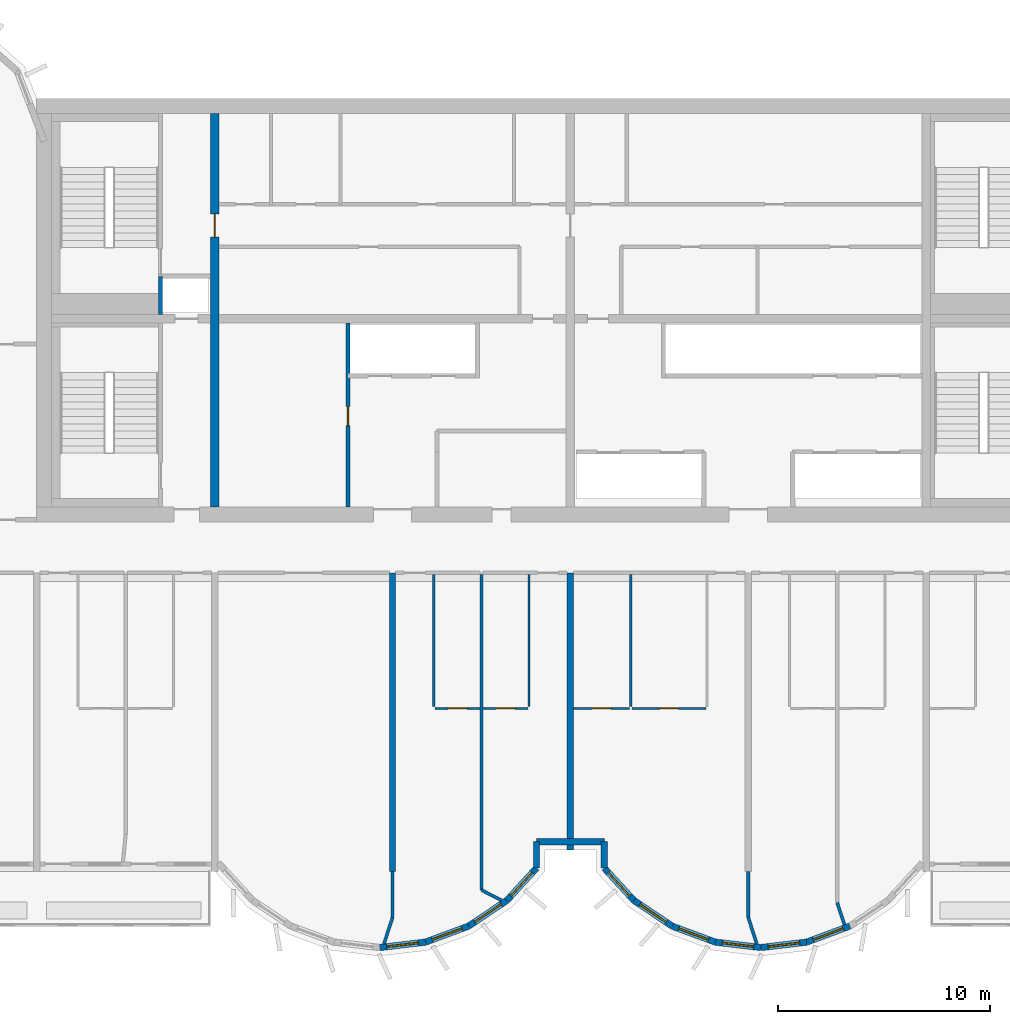
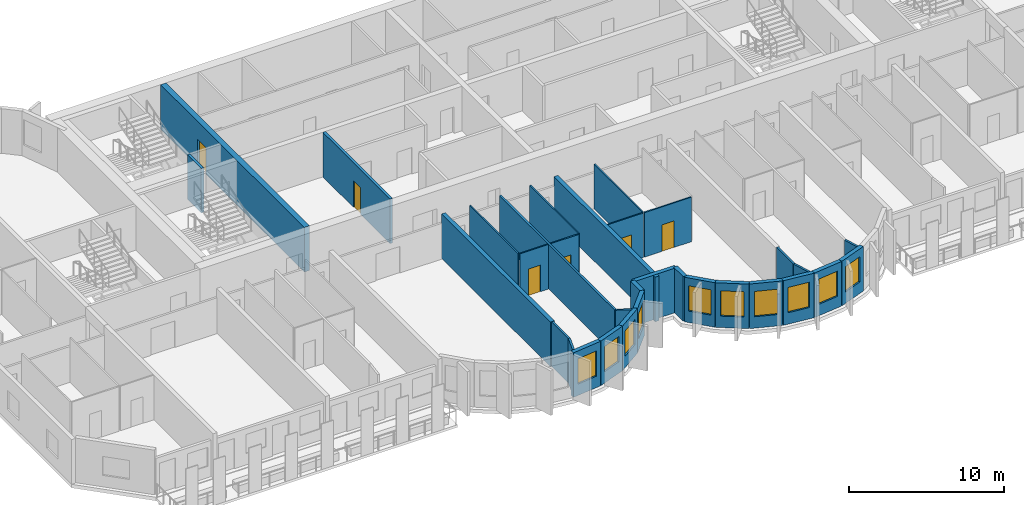
# One storey, part 4 of 13: 32 walls, 10 windows, 6 doors, 16 openings.
"""IFC4 building model written with IfcOpenShell, lengths in metres."""

from ifc_helpers import new_model, si_unit, direction, frame, frame_2d, origin, place, context, subcontext, project, spatial, rectangle, extrude, source, transform, mapped, material, layer, layer_set, type_object, element, fill, save


model = new_model("IFC4")

# Units and contexts
model_context = context("Model", 3, precision=1e-05, world=origin(), true_north=direction((0.0, 1.0)))
body_context = subcontext(model_context, "Body", "Model", "MODEL_VIEW")
ifc_project = project(units=[si_unit("LENGTHUNIT", "METRE"), si_unit("AREAUNIT", "SQUARE_METRE"), si_unit("VOLUMEUNIT", "CUBIC_METRE"), si_unit("PLANEANGLEUNIT", "RADIAN"), si_unit("MASSUNIT", "GRAM", prefix="KILO")], contexts=[model_context])

# Site, building, storey
site_placement = place(None, origin())
site = spatial("IfcSite", under=ifc_project, at=site_placement, CompositionType="ELEMENT")
building_placement = place(site_placement, origin())
building = spatial("IfcBuilding", under=site, at=building_placement, Name="Vanashikhar Sky Hotel", CompositionType="ELEMENT")
storey_placement = place(building_placement, frame((0.0, 0.0, 155.39990234375)))
storey = spatial("IfcBuildingStorey", under=building, at=storey_placement, Name="L37", CompositionType="ELEMENT", Elevation=155.39990234375)

# Wall, opening, door
ifc_material_1 = material(Name="Concrete M60", Category="concrete")
ifc_layer_1 = layer(ifc_material_1, 0.39990234375)
ifc_layer_set_1 = layer_set([ifc_layer_1], Name="RC core inner wall 400 Concrete M60")
wall_type_1 = type_object("IfcWallType", Name="RC core inner wall 400 Concrete M60", PredefinedType="SHEAR", material=ifc_layer_set_1)
shared_shape_1 = source(origin(), body_context, "Body", "SweptSolid", [
    extrude(rectangle(XDim=18.60009765625, YDim=0.39990234375, at=frame_2d((9.300048828125, 0.0))), origin(), (0.0, 0.0, 1.0), 3.52001953125),
])
wall_1_placement = place(storey_placement, frame((33.60009765625, 22.699951171875, 0.0), z_axis=(0.0, 0.0, 1.0), x_axis=(0.0, 1.0, 0.0)))
wall_1 = element("IfcWall", 1, at=wall_1_placement, inside=storey, type_object=wall_type_1, Name="KW-L37-KX1", PredefinedType="SHEAR", context=body_context, shape_type="MappedRepresentation", body=[
    mapped(shared_shape_1, transform((0.0, 0.0, 0.0), scale=1.0)),
])
shared_shape_2 = source(origin(), body_context, "Body", "SweptSolid", [
    extrude(rectangle(XDim=1.10009765625, YDim=2.10009765625, at=frame_2d((0.550048828125, 1.050048828125))), frame((0.0, 0.2099609375, 0.0), z_axis=(0.0, -1.0, 0.0), x_axis=(1.0, 0.0, 0.0)), (0.0, 0.0, 1.0), 0.419921875),
])
opening_1_placement = place(wall_1_placement, frame((12.75, 0.0, 0.0)))
opening_1 = element("IfcOpeningElement", 2, at=opening_1_placement, cuts=wall_1, Name="Opening DC-4-C", PredefinedType="OPENING", context=body_context, shape_type="MappedRepresentation", body=[
    mapped(shared_shape_2, transform((0.0, 0.0, 0.0), scale=1.0)),
])
ifc_material_2 = material(Name="Steel", Category="steel")
door_type_1 = type_object("IfcDoorType", Name="Service door 1100 FD60", OperationType="NOTDEFINED", PredefinedType="DOOR", material=ifc_material_2)
shared_shape_3 = source(origin(), body_context, "Body", "SweptSolid", [
    extrude(rectangle(XDim=1.10009765625, YDim=2.10009765625, at=frame_2d((0.550048828125, 1.050048828125))), frame((0.0, 0.02490234375, 0.0), z_axis=(0.0, -1.0, 0.0), x_axis=(1.0, 0.0, 0.0)), (0.0, 0.0, 1.0), 0.050048828125),
])
door_1_placement = place(opening_1_placement, origin())
door_1 = element("IfcDoor", 3, at=door_1_placement, inside=storey, type_object=door_type_1, Name="Service door 1100 FD60", OperationType="SINGLE_SWING_RIGHT", OverallHeight=2.10009765625, OverallWidth=1.10009765625, PredefinedType="DOOR", context=body_context, shape_type="MappedRepresentation", body=[
    mapped(shared_shape_3, transform((0.0, 0.0, 0.0), scale=1.0)),
])
fill(opening_1, door_1)

# Walls
ifc_layer_2 = layer(ifc_material_1, 0.300048828125)
ifc_layer_set_2 = layer_set([ifc_layer_2], Name="RC shear wall 300 Concrete M60")
wall_type_2 = type_object("IfcWallType", Name="RC shear wall 300 Concrete M60", PredefinedType="SHEAR", material=ifc_layer_set_2)
shared_shape_4 = source(origin(), body_context, "Body", "SweptSolid", [
    extrude(rectangle(XDim=14.10009765625, YDim=0.300048828125, at=frame_2d((7.050048828125, 0.0))), origin(), (0.0, 0.0, 1.0), 3.52001953125),
])
wall_2_placement = place(storey_placement, frame((42.0, 5.5, 0.0), z_axis=(0.0, 0.0, 1.0), x_axis=(0.0, 1.0, 0.0)))
element("IfcWall", 4, at=wall_2_placement, inside=storey, type_object=wall_type_2, Name="CW-L37-XW06-1", PredefinedType="SHEAR", context=body_context, shape_type="MappedRepresentation", body=[
    mapped(shared_shape_4, transform((0.0, 0.0, 0.0), scale=1.0)),
])
shared_shape_5 = source(origin(), body_context, "Body", "SweptSolid", [
    extrude(rectangle(XDim=13.10009765625, YDim=0.300048828125, at=frame_2d((6.550048828125, 0.0))), origin(), (0.0, 0.0, 1.0), 3.52001953125),
])
wall_3_placement = place(storey_placement, frame((50.39990234375, 6.5, 0.0), z_axis=(0.0, 0.0, 1.0), x_axis=(0.0, 1.0, 0.0)))
element("IfcWall", 5, at=wall_3_placement, inside=storey, type_object=wall_type_2, Name="CW-L37-XW07-1", PredefinedType="SHEAR", context=body_context, shape_type="MappedRepresentation", body=[
    mapped(shared_shape_5, transform((0.0, 0.0, 0.0), scale=1.0)),
])

# Wall, opening, window
ifc_material_3 = material(Name="Concrete M50", Category="concrete")
ifc_layer_3 = layer(ifc_material_3, 0.300048828125)
ifc_layer_set_3 = layer_set([ifc_layer_3], Name="Lobe wall 300")
wall_type_3 = type_object("IfcWallType", Name="Lobe wall 300", PredefinedType="SOLIDWALL", material=ifc_layer_set_3)
shared_shape_6 = source(origin(), body_context, "Body", "SweptSolid", [
    extrude(rectangle(XDim=2.17578125, YDim=0.300048828125, at=frame_2d((1.087890625, 0.0))), origin(), (0.0, 0.0, 1.0), 3.52001953125),
])
wall_4_placement = place(storey_placement, frame((45.59912109375, 2.91650390625, 0.0), z_axis=(0.0, 0.0, 1.0), x_axis=(0.829625727223, 0.558319937607, 0.0)))
wall_4 = element("IfcWall", 6, at=wall_4_placement, inside=storey, type_object=wall_type_3, Name="Lobe wall", PredefinedType="SOLIDWALL", context=body_context, shape_type="MappedRepresentation", body=[
    mapped(shared_shape_6, transform((0.0, 0.0, 0.0), scale=1.0)),
])
shared_shape_7 = source(origin(), body_context, "Body", "SweptSolid", [
    extrude(rectangle(XDim=1.5, YDim=2.0, at=frame_2d((0.75, 1.0))), frame((0.0, 0.16015625, 0.0), z_axis=(0.0, -1.0, 0.0), x_axis=(1.0, 0.0, 0.0)), (0.0, 0.0, 1.0), 0.320068359375),
])
opening_2_placement = place(wall_4_placement, frame((0.337890625, 0.0, 0.89990234375)))
opening_2 = element("IfcOpeningElement", 7, at=opening_2_placement, cuts=wall_4, Name="Opening WN-2", PredefinedType="OPENING", context=body_context, shape_type="MappedRepresentation", body=[
    mapped(shared_shape_7, transform((0.0, 0.0, 0.0), scale=1.0)),
])
ifc_material_4 = material(Name="Glass", Category="glass")
window_type = type_object("IfcWindowType", Name="Lobe window 1500 x 2000", PartitioningType="SINGLE_PANEL", PredefinedType="WINDOW", material=ifc_material_4)
shared_shape_8 = source(origin(), body_context, "Body", "SweptSolid", [
    extrude(rectangle(XDim=1.5, YDim=2.0, at=frame_2d((0.75, 1.0))), frame((0.0, 0.030029296875, 0.0), z_axis=(0.0, -1.0, 0.0), x_axis=(1.0, 0.0, 0.0)), (0.0, 0.0, 1.0), 0.06005859375),
])
window_1_placement = place(opening_2_placement, origin())
window_1 = element("IfcWindow", 8, at=window_1_placement, inside=storey, type_object=window_type, Name="Window WN-2", OverallHeight=2.0, OverallWidth=1.5, PartitioningType="SINGLE_PANEL", PredefinedType="WINDOW", context=body_context, shape_type="MappedRepresentation", body=[
    mapped(shared_shape_8, transform((0.0, 0.0, 0.0), scale=1.0)),
])
fill(opening_2, window_1)

wall_5_placement = place(storey_placement, frame((53.395751953125, 4.13134765625, 0.0), z_axis=(0.0, 0.0, 1.0), x_axis=(0.829590746428, -0.558371913192, 0.0)))
wall_5 = element("IfcWall", 9, at=wall_5_placement, inside=storey, type_object=wall_type_3, Name="Lobe wall", PredefinedType="SOLIDWALL", context=body_context, shape_type="MappedRepresentation", body=[
    mapped(shared_shape_6, transform((0.0, 0.0, 0.0), scale=1.0)),
])
opening_3_placement = place(wall_5_placement, frame((0.337890625, 0.0, 0.89990234375)))
opening_3 = element("IfcOpeningElement", 10, at=opening_3_placement, cuts=wall_5, Name="Opening WN-2", PredefinedType="OPENING", context=body_context, shape_type="MappedRepresentation", body=[
    mapped(shared_shape_7, transform((0.0, 0.0, 0.0), scale=1.0)),
])
window_2_placement = place(opening_3_placement, origin())
window_2 = element("IfcWindow", 11, at=window_2_placement, inside=storey, type_object=window_type, Name="Window WN-2", OverallHeight=2.0, OverallWidth=1.5, PartitioningType="SINGLE_PANEL", PredefinedType="WINDOW", context=body_context, shape_type="MappedRepresentation", body=[
    mapped(shared_shape_8, transform((0.0, 0.0, 0.0), scale=1.0)),
])
fill(opening_3, window_2)

wall_6_placement = place(storey_placement, frame((55.20068359375, 2.91650390625, 0.0), z_axis=(0.0, 0.0, 1.0), x_axis=(0.93754555999, -0.347862505801, 0.0)))
wall_6 = element("IfcWall", 12, at=wall_6_placement, inside=storey, type_object=wall_type_3, Name="Lobe wall", PredefinedType="SOLIDWALL", context=body_context, shape_type="MappedRepresentation", body=[
    mapped(shared_shape_6, transform((0.0, 0.0, 0.0), scale=1.0)),
])
opening_4_placement = place(wall_6_placement, frame((0.337890625, 0.0, 0.89990234375)))
opening_4 = element("IfcOpeningElement", 13, at=opening_4_placement, cuts=wall_6, Name="Opening WN-2", PredefinedType="OPENING", context=body_context, shape_type="MappedRepresentation", body=[
    mapped(shared_shape_7, transform((0.0, 0.0, 0.0), scale=1.0)),
])
window_3_placement = place(opening_4_placement, origin())
window_3 = element("IfcWindow", 14, at=window_3_placement, inside=storey, type_object=window_type, Name="Window WN-2", OverallHeight=2.0, OverallWidth=1.5, PartitioningType="SINGLE_PANEL", PredefinedType="WINDOW", context=body_context, shape_type="MappedRepresentation", body=[
    mapped(shared_shape_8, transform((0.0, 0.0, 0.0), scale=1.0)),
])
fill(opening_4, window_3)

shared_shape_9 = source(origin(), body_context, "Body", "SweptSolid", [
    extrude(rectangle(XDim=2.174560546875, YDim=0.300048828125, at=frame_2d((1.08740234375, 0.0))), origin(), (0.0, 0.0, 1.0), 3.52001953125),
])
wall_7_placement = place(storey_placement, frame((57.240478515625, 2.15966796875, 0.0), z_axis=(0.0, 0.0, 1.0), x_axis=(0.993001132889, -0.118104826659, 0.0)))
wall_7 = element("IfcWall", 15, at=wall_7_placement, inside=storey, type_object=wall_type_3, Name="Lobe wall", PredefinedType="SOLIDWALL", context=body_context, shape_type="MappedRepresentation", body=[
    mapped(shared_shape_9, transform((0.0, 0.0, 0.0), scale=1.0)),
])
opening_5_placement = place(wall_7_placement, frame((0.33740234375, 0.0, 0.89990234375)))
opening_5 = element("IfcOpeningElement", 16, at=opening_5_placement, cuts=wall_7, Name="Opening WN-2", PredefinedType="OPENING", context=body_context, shape_type="MappedRepresentation", body=[
    mapped(shared_shape_7, transform((0.0, 0.0, 0.0), scale=1.0)),
])
window_4_placement = place(opening_5_placement, origin())
window_4 = element("IfcWindow", 17, at=window_4_placement, inside=storey, type_object=window_type, Name="Window WN-2", OverallHeight=2.0, OverallWidth=1.5, PartitioningType="SINGLE_PANEL", PredefinedType="WINDOW", context=body_context, shape_type="MappedRepresentation", body=[
    mapped(shared_shape_8, transform((0.0, 0.0, 0.0), scale=1.0)),
])
fill(opening_5, window_4)

shared_shape_10 = source(origin(), body_context, "Body", "SweptSolid", [
    extrude(rectangle(XDim=2.1748046875, YDim=0.300048828125, at=frame_2d((1.08740234375, 0.0))), origin(), (0.0, 0.0, 1.0), 3.52001953125),
])
wall_8_placement = place(storey_placement, frame((41.39990234375, 1.90283203125, 0.0), z_axis=(0.0, 0.0, 1.0), x_axis=(0.993002698611, 0.118091661648, 0.0)))
wall_8 = element("IfcWall", 18, at=wall_8_placement, inside=storey, type_object=wall_type_3, Name="Lobe wall", PredefinedType="SOLIDWALL", context=body_context, shape_type="MappedRepresentation", body=[
    mapped(shared_shape_10, transform((0.0, 0.0, 0.0), scale=1.0)),
])
opening_6_placement = place(wall_8_placement, frame((0.33740234375, 0.0, 0.89990234375)))
opening_6 = element("IfcOpeningElement", 19, at=opening_6_placement, cuts=wall_8, Name="Opening WN-2", PredefinedType="OPENING", context=body_context, shape_type="MappedRepresentation", body=[
    mapped(shared_shape_7, transform((0.0, 0.0, 0.0), scale=1.0)),
])
window_5_placement = place(opening_6_placement, origin())
window_5 = element("IfcWindow", 20, at=window_5_placement, inside=storey, type_object=window_type, Name="Window WN-2", OverallHeight=2.0, OverallWidth=1.5, PartitioningType="SINGLE_PANEL", PredefinedType="WINDOW", context=body_context, shape_type="MappedRepresentation", body=[
    mapped(shared_shape_8, transform((0.0, 0.0, 0.0), scale=1.0)),
])
fill(opening_6, window_5)

wall_9_placement = place(storey_placement, frame((59.39990234375, 1.90283203125, 0.0), z_axis=(0.0, 0.0, 1.0), x_axis=(0.993002698611, 0.118091661648, 0.0)))
wall_9 = element("IfcWall", 21, at=wall_9_placement, inside=storey, type_object=wall_type_3, Name="Lobe wall", PredefinedType="SOLIDWALL", context=body_context, shape_type="MappedRepresentation", body=[
    mapped(shared_shape_10, transform((0.0, 0.0, 0.0), scale=1.0)),
])
opening_7_placement = place(wall_9_placement, frame((0.33740234375, 0.0, 0.89990234375)))
opening_7 = element("IfcOpeningElement", 22, at=opening_7_placement, cuts=wall_9, Name="Opening WN-2", PredefinedType="OPENING", context=body_context, shape_type="MappedRepresentation", body=[
    mapped(shared_shape_7, transform((0.0, 0.0, 0.0), scale=1.0)),
])
window_6_placement = place(opening_7_placement, origin())
window_6 = element("IfcWindow", 23, at=window_6_placement, inside=storey, type_object=window_type, Name="Window WN-2", OverallHeight=2.0, OverallWidth=1.5, PartitioningType="SINGLE_PANEL", PredefinedType="WINDOW", context=body_context, shape_type="MappedRepresentation", body=[
    mapped(shared_shape_8, transform((0.0, 0.0, 0.0), scale=1.0)),
])
fill(opening_7, window_6)

shared_shape_11 = source(origin(), body_context, "Body", "SweptSolid", [
    extrude(rectangle(XDim=2.175537109375, YDim=0.300048828125, at=frame_2d((1.087890625, 0.0))), origin(), (0.0, 0.0, 1.0), 3.52001953125),
])
wall_10_placement = place(storey_placement, frame((43.5595703125, 2.15966796875, 0.0), z_axis=(0.0, 0.0, 1.0), x_axis=(0.937531979054, 0.347899106424, 0.0)))
wall_10 = element("IfcWall", 24, at=wall_10_placement, inside=storey, type_object=wall_type_3, Name="Lobe wall", PredefinedType="SOLIDWALL", context=body_context, shape_type="MappedRepresentation", body=[
    mapped(shared_shape_11, transform((0.0, 0.0, 0.0), scale=1.0)),
])
opening_8_placement = place(wall_10_placement, frame((0.337890625, 0.0, 0.89990234375)))
opening_8 = element("IfcOpeningElement", 25, at=opening_8_placement, cuts=wall_10, Name="Opening WN-2", PredefinedType="OPENING", context=body_context, shape_type="MappedRepresentation", body=[
    mapped(shared_shape_7, transform((0.0, 0.0, 0.0), scale=1.0)),
])
window_7_placement = place(opening_8_placement, origin())
window_7 = element("IfcWindow", 26, at=window_7_placement, inside=storey, type_object=window_type, Name="Window WN-2", OverallHeight=2.0, OverallWidth=1.5, PartitioningType="SINGLE_PANEL", PredefinedType="WINDOW", context=body_context, shape_type="MappedRepresentation", body=[
    mapped(shared_shape_8, transform((0.0, 0.0, 0.0), scale=1.0)),
])
fill(opening_8, window_7)

wall_11_placement = place(storey_placement, frame((61.5595703125, 2.15966796875, 0.0), z_axis=(0.0, 0.0, 1.0), x_axis=(0.937531979054, 0.347899106424, 0.0)))
wall_11 = element("IfcWall", 27, at=wall_11_placement, inside=storey, type_object=wall_type_3, Name="Lobe wall", PredefinedType="SOLIDWALL", context=body_context, shape_type="MappedRepresentation", body=[
    mapped(shared_shape_11, transform((0.0, 0.0, 0.0), scale=1.0)),
])
opening_9_placement = place(wall_11_placement, frame((0.337890625, 0.0, 0.89990234375)))
opening_9 = element("IfcOpeningElement", 28, at=opening_9_placement, cuts=wall_11, Name="Opening WN-2", PredefinedType="OPENING", context=body_context, shape_type="MappedRepresentation", body=[
    mapped(shared_shape_7, transform((0.0, 0.0, 0.0), scale=1.0)),
])
window_8_placement = place(opening_9_placement, origin())
window_8 = element("IfcWindow", 29, at=window_8_placement, inside=storey, type_object=window_type, Name="Window WN-2", OverallHeight=2.0, OverallWidth=1.5, PartitioningType="SINGLE_PANEL", PredefinedType="WINDOW", context=body_context, shape_type="MappedRepresentation", body=[
    mapped(shared_shape_8, transform((0.0, 0.0, 0.0), scale=1.0)),
])
fill(opening_9, window_8)

shared_shape_12 = source(origin(), body_context, "Body", "SweptSolid", [
    extrude(rectangle(XDim=2.066650390625, YDim=0.300048828125, at=frame_2d((1.033203125, 0.0))), origin(), (0.0, 0.0, 1.0), 3.52001953125),
])
wall_12_placement = place(storey_placement, frame((47.404296875, 4.13134765625, 0.0), z_axis=(0.0, 0.0, 1.0), x_axis=(0.675355439877, 0.737492393065, 0.0)))
wall_12 = element("IfcWall", 30, at=wall_12_placement, inside=storey, type_object=wall_type_3, Name="Lobe wall", PredefinedType="SOLIDWALL", context=body_context, shape_type="MappedRepresentation", body=[
    mapped(shared_shape_12, transform((0.0, 0.0, 0.0), scale=1.0)),
])
opening_10_placement = place(wall_12_placement, frame((0.283447265625, 0.0, 0.89990234375)))
opening_10 = element("IfcOpeningElement", 31, at=opening_10_placement, cuts=wall_12, Name="Opening WN-2", PredefinedType="OPENING", context=body_context, shape_type="MappedRepresentation", body=[
    mapped(shared_shape_7, transform((0.0, 0.0, 0.0), scale=1.0)),
])
window_9_placement = place(opening_10_placement, origin())
window_9 = element("IfcWindow", 32, at=window_9_placement, inside=storey, type_object=window_type, Name="Window WN-2", OverallHeight=2.0, OverallWidth=1.5, PartitioningType="SINGLE_PANEL", PredefinedType="WINDOW", context=body_context, shape_type="MappedRepresentation", body=[
    mapped(shared_shape_8, transform((0.0, 0.0, 0.0), scale=1.0)),
])
fill(opening_10, window_9)

wall_13_placement = place(storey_placement, frame((52.0, 5.655517578125, 0.0), z_axis=(0.0, 0.0, 1.0), x_axis=(0.675355439877, -0.737492393065, 0.0)))
wall_13 = element("IfcWall", 33, at=wall_13_placement, inside=storey, type_object=wall_type_3, Name="Lobe wall", PredefinedType="SOLIDWALL", context=body_context, shape_type="MappedRepresentation", body=[
    mapped(shared_shape_12, transform((0.0, 0.0, 0.0), scale=1.0)),
])
opening_11_placement = place(wall_13_placement, frame((0.283447265625, 0.0, 0.89990234375)))
opening_11 = element("IfcOpeningElement", 34, at=opening_11_placement, cuts=wall_13, Name="Opening WN-2", PredefinedType="OPENING", context=body_context, shape_type="MappedRepresentation", body=[
    mapped(shared_shape_7, transform((0.0, 0.0, 0.0), scale=1.0)),
])
window_10_placement = place(opening_11_placement, origin())
window_10 = element("IfcWindow", 35, at=window_10_placement, inside=storey, type_object=window_type, Name="Window WN-2", OverallHeight=2.0, OverallWidth=1.5, PartitioningType="SINGLE_PANEL", PredefinedType="WINDOW", context=body_context, shape_type="MappedRepresentation", body=[
    mapped(shared_shape_8, transform((0.0, 0.0, 0.0), scale=1.0)),
])
fill(opening_11, window_10)

# Walls
shared_shape_13 = source(origin(), body_context, "Body", "SweptSolid", [
    extrude(rectangle(XDim=1.244384765625, YDim=0.300048828125, at=frame_2d((0.6220703125, 0.0))), origin(), (0.0, 0.0, 1.0), 3.52001953125),
])
for number, where, z_axis, x_axis, name in (
    (36, (48.800048828125, 5.655517578125, 0.0), (0.0, 0.0, 1.0), (0.0, 1.0, 0.0), "Groove wall"),
    (37, (52.0, 6.89990234375, 0.0), (0.0, 0.0, 1.0), (0.0, -1.0, 0.0), "Groove wall"),
):
    element("IfcWall", number, at=place(storey_placement, frame(where, z_axis=z_axis, x_axis=x_axis)), inside=storey, type_object=wall_type_3, Name=name, PredefinedType="SOLIDWALL", context=body_context, shape_type="MappedRepresentation", body=[
        mapped(shared_shape_13, transform((0.0, 0.0, 0.0), scale=1.0)),
    ])
shared_shape_14 = source(origin(), body_context, "Body", "SweptSolid", [
    extrude(rectangle(XDim=3.199951171875, YDim=0.300048828125, at=frame_2d((1.60009765625, 0.0))), origin(), (0.0, 0.0, 1.0), 3.52001953125),
])
wall_14_placement = place(storey_placement, frame((48.800048828125, 6.89990234375, 0.0), z_axis=(0.0, 0.0, 1.0), x_axis=(1.0, 0.0, 0.0)))
element("IfcWall", 38, at=wall_14_placement, inside=storey, type_object=wall_type_3, Name="Groove wall", PredefinedType="SOLIDWALL", context=body_context, shape_type="MappedRepresentation", body=[
    mapped(shared_shape_14, transform((0.0, 0.0, 0.0), scale=1.0)),
])

# Wall, opening, door
ifc_material_5 = material(Name="Gypsum board partition")
ifc_layer_4 = layer(ifc_material_5, 0.14990234375)
ifc_layer_set_4 = layer_set([ifc_layer_4], Name="Service partition 150")
wall_type_4 = type_object("IfcWallType", Name="Service partition 150", PredefinedType="PARTITIONING", material=ifc_layer_set_4)
shared_shape_15 = source(origin(), body_context, "Body", "SweptSolid", [
    extrude(rectangle(XDim=8.699951171875, YDim=0.199951171875, at=frame_2d((4.35009765625, 0.0))), origin(), (0.0, 0.0, 1.0), 3.52001953125),
])
wall_15_placement = place(storey_placement, frame((39.89990234375, 22.699951171875, 0.0), z_axis=(0.0, 0.0, 1.0), x_axis=(0.0, 1.0, 0.0)))
wall_15 = element("IfcWall", 39, at=wall_15_placement, inside=storey, type_object=wall_type_4, Name="Service partition 150", PredefinedType="PARTITIONING", context=body_context, shape_type="MappedRepresentation", body=[
    mapped(shared_shape_15, transform((0.0, 0.0, 0.0), scale=1.0)),
])
shared_shape_16 = source(origin(), body_context, "Body", "SweptSolid", [
    extrude(rectangle(XDim=0.89990234375, YDim=2.10009765625, at=frame_2d((0.449951171875, 1.050048828125))), frame((0.0, 0.10986328125, 0.0), z_axis=(0.0, -1.0, 0.0), x_axis=(1.0, 0.0, 0.0)), (0.0, 0.0, 1.0), 0.219970703125),
])
opening_12_placement = place(wall_15_placement, frame((3.85009765625, 0.0, 0.0)))
opening_12 = element("IfcOpeningElement", 40, at=opening_12_placement, cuts=wall_15, Name="Opening DC-4-A", PredefinedType="OPENING", context=body_context, shape_type="MappedRepresentation", body=[
    mapped(shared_shape_16, transform((0.0, 0.0, 0.0), scale=1.0)),
])
door_type_2 = type_object("IfcDoorType", Name="Service door 900 FD60", OperationType="NOTDEFINED", PredefinedType="DOOR", material=ifc_material_2)
shared_shape_17 = source(origin(), body_context, "Body", "SweptSolid", [
    extrude(rectangle(XDim=0.89990234375, YDim=2.10009765625, at=frame_2d((0.449951171875, 1.050048828125))), frame((0.0, 0.02490234375, 0.0), z_axis=(0.0, -1.0, 0.0), x_axis=(1.0, 0.0, 0.0)), (0.0, 0.0, 1.0), 0.050048828125),
])
door_2_placement = place(opening_12_placement, origin())
door_2 = element("IfcDoor", 41, at=door_2_placement, inside=storey, type_object=door_type_2, Name="Service door 900 FD60", OperationType="SINGLE_SWING_RIGHT", OverallHeight=2.10009765625, OverallWidth=0.89990234375, PredefinedType="DOOR", context=body_context, shape_type="MappedRepresentation", body=[
    mapped(shared_shape_17, transform((0.0, 0.0, 0.0), scale=1.0)),
])
fill(opening_12, door_2)

# Walls
ifc_material_6 = material(Name="Concrete M40", Category="concrete")
ifc_layer_5 = layer(ifc_material_6, 0.199951171875)
ifc_layer_set_5 = layer_set([ifc_layer_5], Name="Shaft wall 200")
wall_type_5 = type_object("IfcWallType", Name="Shaft wall 200", PredefinedType="SOLIDWALL", material=ifc_layer_set_5)
shared_shape_18 = source(origin(), body_context, "Body", "SweptSolid", [
    extrude(rectangle(XDim=1.800048828125, YDim=0.199951171875, at=frame_2d((0.89990234375, 0.0))), origin(), (0.0, 0.0, 1.0), 3.52001953125),
])
wall_16_placement = place(storey_placement, frame((31.050048828125, 31.800048828125, 0.0), z_axis=(0.0, 0.0, 1.0), x_axis=(0.0, 1.0, 0.0)))
element("IfcWall", 42, at=wall_16_placement, inside=storey, type_object=wall_type_5, Name="Shaft wall 200", PredefinedType="SOLIDWALL", context=body_context, shape_type="MappedRepresentation", body=[
    mapped(shared_shape_18, transform((0.0, 0.0, 0.0), scale=1.0)),
])
ifc_material_7 = material(Name="Gypsum plasterboard partition")
ifc_layer_6 = layer(ifc_material_7, 0.14990234375)
ifc_layer_set_6 = layer_set([ifc_layer_6], Name="Corridor and demising partition 150")
wall_type_6 = type_object("IfcWallType", Name="Corridor and demising partition 150", PredefinedType="PARTITIONING", material=ifc_layer_set_6)
shared_shape_19 = source(origin(), body_context, "Body", "SweptSolid", [
    extrude(rectangle(XDim=2.177978515625, YDim=0.14990234375, at=frame_2d((1.0888671875, 0.0))), origin(), (0.0, 0.0, 1.0), 3.52001953125),
])
for number, where, z_axis, x_axis, name in (
    (43, (42.0, 3.322021484375, 0.0), (0.0, 0.0, 1.0), (0.0, 1.0, 0.0), "W-L37-PW053"),
    (44, (58.800048828125, 3.322021484375, 0.0), (0.0, 0.0, 1.0), (0.0, 1.0, 0.0), "W-L37-PW054"),
):
    element("IfcWall", number, at=place(storey_placement, frame(where, z_axis=z_axis, x_axis=x_axis)), inside=storey, type_object=wall_type_6, Name=name, PredefinedType="PARTITIONING", context=body_context, shape_type="MappedRepresentation", body=[
        mapped(shared_shape_19, transform((0.0, 0.0, 0.0), scale=1.0)),
    ])

# Wall, opening, door
ifc_layer_7 = layer(ifc_material_7, 0.10009765625)
ifc_layer_set_7 = layer_set([ifc_layer_7], Name="Wet room partition 100")
wall_type_7 = type_object("IfcWallType", Name="Wet room partition 100", PredefinedType="PARTITIONING", material=ifc_layer_set_7)
shared_shape_20 = source(origin(), body_context, "Body", "SweptSolid", [
    extrude(rectangle(XDim=3.5, YDim=0.10009765625, at=frame_2d((1.75, 0.0))), origin(), (0.0, 0.0, 1.0), 3.52001953125),
])
wall_17_placement = place(storey_placement, frame((53.300048828125, 13.199951171875, 0.0), z_axis=(0.0, 0.0, 1.0), x_axis=(1.0, 0.0, 0.0)))
wall_17 = element("IfcWall", 45, at=wall_17_placement, inside=storey, type_object=wall_type_7, Name="W-L37-PW024", PredefinedType="PARTITIONING", context=body_context, shape_type="MappedRepresentation", body=[
    mapped(shared_shape_20, transform((0.0, 0.0, 0.0), scale=1.0)),
])
shared_shape_21 = source(origin(), body_context, "Body", "SweptSolid", [
    extrude(rectangle(XDim=0.89990234375, YDim=2.10009765625, at=frame_2d((0.449951171875, 1.050048828125))), frame((0.0, 0.06005859375, 0.0), z_axis=(0.0, -1.0, 0.0), x_axis=(1.0, 0.0, 0.0)), (0.0, 0.0, 1.0), 0.1201171875),
])
opening_13_placement = place(wall_17_placement, frame((1.300048828125, 0.0, 0.0)))
opening_13 = element("IfcOpeningElement", 46, at=opening_13_placement, cuts=wall_17, Name="Opening D-02", PredefinedType="OPENING", context=body_context, shape_type="MappedRepresentation", body=[
    mapped(shared_shape_21, transform((0.0, 0.0, 0.0), scale=1.0)),
])
ifc_material_8 = material(Name="Timber door", Category="wood")
door_type_3 = type_object("IfcDoorType", Name="Internal door 900", OperationType="NOTDEFINED", PredefinedType="DOOR", material=ifc_material_8)
door_3_placement = place(opening_13_placement, origin())
door_3 = element("IfcDoor", 47, at=door_3_placement, inside=storey, type_object=door_type_3, Name="D-L37-014", OperationType="SINGLE_SWING_RIGHT", OverallHeight=2.10009765625, OverallWidth=0.89990234375, PredefinedType="DOOR", context=body_context, shape_type="MappedRepresentation", body=[
    mapped(shared_shape_17, transform((0.0, 0.0, 0.0), scale=1.0)),
])
fill(opening_13, door_3)

# Walls
shared_shape_22 = source(origin(), body_context, "Body", "SweptSolid", [
    extrude(rectangle(XDim=1.100830078125, YDim=0.14990234375, at=frame_2d((0.55029296875, 0.0))), origin(), (0.0, 0.0, 1.0), 3.52001953125),
])
wall_18_placement = place(storey_placement, frame((63.343017578125, 2.98095703125, 0.0), z_axis=(0.0, 0.0, 1.0), x_axis=(-0.311567081539, 0.950224159712, 0.0)))
element("IfcWall", 48, at=wall_18_placement, inside=storey, type_object=wall_type_6, Name="W-L37-PW033B0", PredefinedType="PARTITIONING", context=body_context, shape_type="MappedRepresentation", body=[
    mapped(shared_shape_22, transform((0.0, 0.0, 0.0), scale=1.0)),
])
shared_shape_23 = source(origin(), body_context, "Body", "SweptSolid", [
    extrude(rectangle(XDim=1.0576171875, YDim=0.14990234375, at=frame_2d((0.52880859375, 0.0))), origin(), (0.0, 0.0, 1.0), 3.52001953125),
])
wall_19_placement = place(storey_placement, frame((47.139892578125, 4.134033203125, 0.0), z_axis=(0.0, 0.0, 1.0), x_axis=(-0.888723819054, 0.458442988218, 0.0)))
element("IfcWall", 49, at=wall_19_placement, inside=storey, type_object=wall_type_6, Name="W-L37-PW021B0", PredefinedType="PARTITIONING", context=body_context, shape_type="MappedRepresentation", body=[
    mapped(shared_shape_23, transform((0.0, 0.0, 0.0), scale=1.0)),
])
shared_shape_24 = source(origin(), body_context, "Body", "SweptSolid", [
    extrude(rectangle(XDim=1.308349609375, YDim=0.14990234375, at=frame_2d((0.654296875, 0.0))), origin(), (0.0, 0.0, 1.0), 3.52001953125),
])
for number, where, z_axis, x_axis, name in (
    (50, (41.597900390625, 2.076904296875, 0.0), (0.0, 0.0, 1.0), (0.307313512187, 0.951608325535, 0.0), "W-L37-PW053B0"),
    (51, (59.201904296875, 2.076904296875, 0.0), (0.0, 0.0, 1.0), (-0.307144529633, 0.951662880392, 0.0), "W-L37-PW054B0"),
):
    element("IfcWall", number, at=place(storey_placement, frame(where, z_axis=z_axis, x_axis=x_axis)), inside=storey, type_object=wall_type_6, Name=name, PredefinedType="PARTITIONING", context=body_context, shape_type="MappedRepresentation", body=[
        mapped(shared_shape_24, transform((0.0, 0.0, 0.0), scale=1.0)),
    ])
shared_shape_25 = source(origin(), body_context, "Body", "SweptSolid", [
    extrude(rectangle(XDim=6.25, YDim=0.10009765625, at=frame_2d((3.125, 0.0))), origin(), (0.0, 0.0, 1.0), 3.52001953125),
])
for number, where, z_axis, x_axis, name in (
    (52, (43.949951171875, 13.27490234375, 0.0), (0.0, 0.0, 1.0), (0.0, 1.0, 0.0), "W-L37-PW015"),
    (53, (48.449951171875, 13.27490234375, 0.0), (0.0, 0.0, 1.0), (0.0, 1.0, 0.0), "W-L37-PW018"),
    (54, (53.25, 13.27490234375, 0.0), (0.0, 0.0, 1.0), (0.0, 1.0, 0.0), "W-L37-PW023"),
):
    element("IfcWall", number, at=place(storey_placement, frame(where, z_axis=z_axis, x_axis=x_axis)), inside=storey, type_object=wall_type_7, Name=name, PredefinedType="PARTITIONING", context=body_context, shape_type="MappedRepresentation", body=[
        mapped(shared_shape_25, transform((0.0, 0.0, 0.0), scale=1.0)),
    ])
shared_shape_26 = source(origin(), body_context, "Body", "SweptSolid", [
    extrude(rectangle(XDim=14.906005859375, YDim=0.14990234375, at=frame_2d((7.453125, 0.0))), origin(), (0.0, 0.0, 1.0), 3.52001953125),
])
wall_20_placement = place(storey_placement, frame((46.199951171875, 4.618896484375, 0.0), z_axis=(0.0, 0.0, 1.0), x_axis=(0.0, 1.0, 0.0)))
element("IfcWall", 55, at=wall_20_placement, inside=storey, type_object=wall_type_6, Name="W-L37-PW021", PredefinedType="PARTITIONING", context=body_context, shape_type="MappedRepresentation", body=[
    mapped(shared_shape_26, transform((0.0, 0.0, 0.0), scale=1.0)),
])

# Wall, opening, door
shared_shape_27 = source(origin(), body_context, "Body", "SweptSolid", [
    extrude(rectangle(XDim=2.125, YDim=0.10009765625, at=frame_2d((1.0625, 0.0))), origin(), (0.0, 0.0, 1.0), 3.52001953125),
])
wall_21_placement = place(storey_placement, frame((44.0, 13.199951171875, 0.0), z_axis=(0.0, 0.0, 1.0), x_axis=(1.0, 0.0, 0.0)))
wall_21 = element("IfcWall", 56, at=wall_21_placement, inside=storey, type_object=wall_type_7, Name="W-L37-PW016", PredefinedType="PARTITIONING", context=body_context, shape_type="MappedRepresentation", body=[
    mapped(shared_shape_27, transform((0.0, 0.0, 0.0), scale=1.0)),
])
opening_14_placement = place(wall_21_placement, frame((0.612060546875, 0.0, 0.0)))
opening_14 = element("IfcOpeningElement", 57, at=opening_14_placement, cuts=wall_21, Name="Opening D-02", PredefinedType="OPENING", context=body_context, shape_type="MappedRepresentation", body=[
    mapped(shared_shape_21, transform((0.0, 0.0, 0.0), scale=1.0)),
])
door_4_placement = place(opening_14_placement, origin())
door_4 = element("IfcDoor", 58, at=door_4_placement, inside=storey, type_object=door_type_3, Name="D-L37-010", OperationType="SINGLE_SWING_LEFT", OverallHeight=2.10009765625, OverallWidth=0.89990234375, PredefinedType="DOOR", context=body_context, shape_type="MappedRepresentation", body=[
    mapped(shared_shape_17, transform((0.0, 0.0, 0.0), scale=1.0)),
])
fill(opening_14, door_4)

wall_22_placement = place(storey_placement, frame((46.27490234375, 13.199951171875, 0.0), z_axis=(0.0, 0.0, 1.0), x_axis=(1.0, 0.0, 0.0)))
wall_22 = element("IfcWall", 59, at=wall_22_placement, inside=storey, type_object=wall_type_7, Name="W-L37-PW019", PredefinedType="PARTITIONING", context=body_context, shape_type="MappedRepresentation", body=[
    mapped(shared_shape_27, transform((0.0, 0.0, 0.0), scale=1.0)),
])
opening_15_placement = place(wall_22_placement, frame((0.613037109375, 0.0, 0.0)))
opening_15 = element("IfcOpeningElement", 60, at=opening_15_placement, cuts=wall_22, Name="Opening D-02", PredefinedType="OPENING", context=body_context, shape_type="MappedRepresentation", body=[
    mapped(shared_shape_21, transform((0.0, 0.0, 0.0), scale=1.0)),
])
door_5_placement = place(opening_15_placement, origin())
door_5 = element("IfcDoor", 61, at=door_5_placement, inside=storey, type_object=door_type_3, Name="D-L37-012", OperationType="SINGLE_SWING_RIGHT", OverallHeight=2.10009765625, OverallWidth=0.89990234375, PredefinedType="DOOR", context=body_context, shape_type="MappedRepresentation", body=[
    mapped(shared_shape_17, transform((0.0, 0.0, 0.0), scale=1.0)),
])
fill(opening_15, door_5)

shared_shape_28 = source(origin(), body_context, "Body", "SweptSolid", [
    extrude(rectangle(XDim=2.64990234375, YDim=0.10009765625, at=frame_2d((1.324951171875, 0.0))), origin(), (0.0, 0.0, 1.0), 3.52001953125),
])
wall_23_placement = place(storey_placement, frame((50.550048828125, 13.199951171875, 0.0), z_axis=(0.0, 0.0, 1.0), x_axis=(1.0, 0.0, 0.0)))
wall_23 = element("IfcWall", 62, at=wall_23_placement, inside=storey, type_object=wall_type_7, Name="W-L37-PW025", PredefinedType="PARTITIONING", context=body_context, shape_type="MappedRepresentation", body=[
    mapped(shared_shape_28, transform((0.0, 0.0, 0.0), scale=1.0)),
])
opening_16_placement = place(wall_23_placement, frame((0.875, 0.0, 0.0)))
opening_16 = element("IfcOpeningElement", 63, at=opening_16_placement, cuts=wall_23, Name="Opening D-02", PredefinedType="OPENING", context=body_context, shape_type="MappedRepresentation", body=[
    mapped(shared_shape_21, transform((0.0, 0.0, 0.0), scale=1.0)),
])
door_6_placement = place(opening_16_placement, origin())
door_6 = element("IfcDoor", 64, at=door_6_placement, inside=storey, type_object=door_type_3, Name="D-L37-015", OperationType="SINGLE_SWING_RIGHT", OverallHeight=2.10009765625, OverallWidth=0.89990234375, PredefinedType="DOOR", context=body_context, shape_type="MappedRepresentation", body=[
    mapped(shared_shape_17, transform((0.0, 0.0, 0.0), scale=1.0)),
])
fill(opening_16, door_6)

save(model, "model.ifc")
